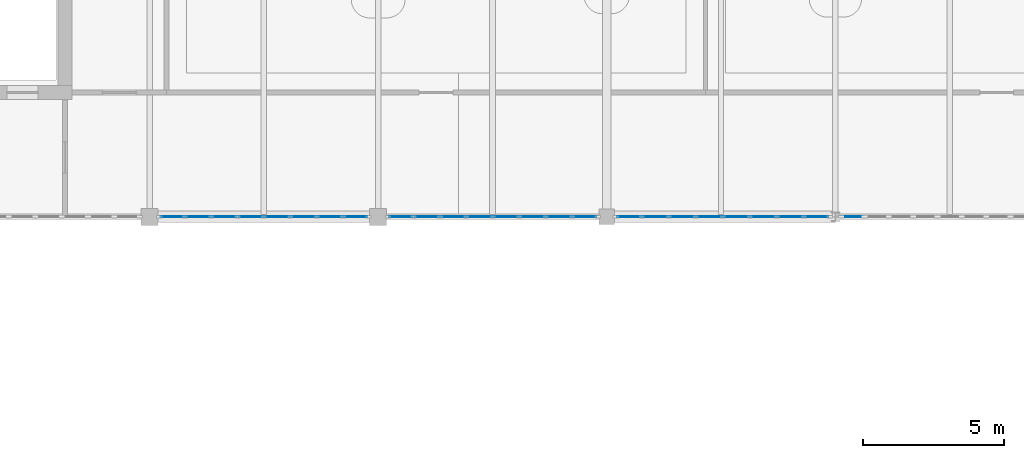
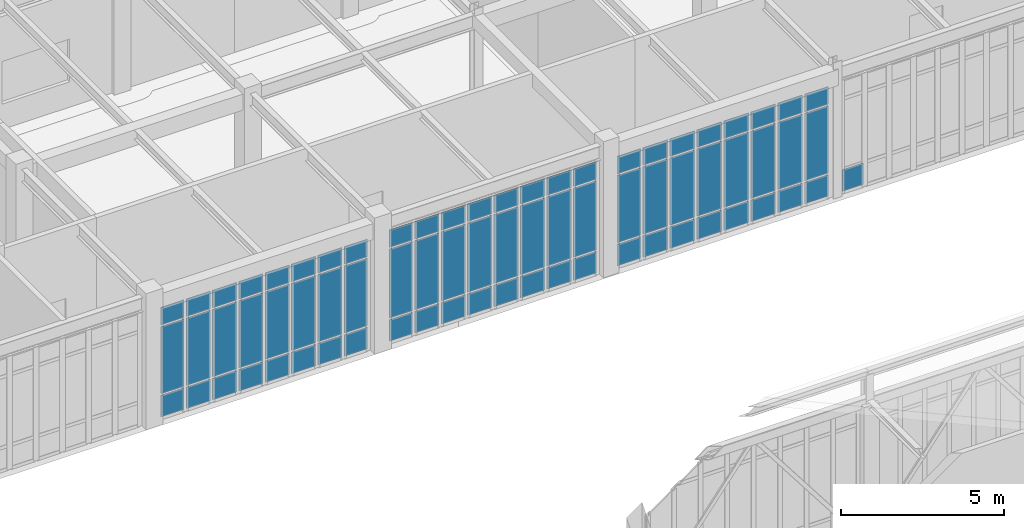
# One storey, part 79 of 107: 73 plates, 4 elements without a shape of their own.
"""IFC4 building model written with IfcOpenShell, lengths in metres."""

import ifcopenshell
import ifcopenshell.guid

model = None  # the IFC model being written
_history = None  # IfcOwnerHistory: only IFC2X3 demands one
_inside = {}  # id of a spatial element -> (the spatial element, [elements in it])
_under = {}  # id of a project, library or spatial element -> (it, [spatial elements below it])
_declared = {}  # id of a project -> (the project, [libraries it declares])
_typed = {}  # id of a type object -> (the type object, [elements of that type])
_made_of = {}  # id of a material, layer set ... -> (it, [elements and type objects made of it])


def new_model(schema):
    """Start an empty IFC model of exactly this schema.

    Asked for "IFC4X3", IfcOpenShell would pick the latest addendum, in which some entities
    have other attributes; the version numbers below select the first issue.
    IFC2X3 requires an IfcOwnerHistory on every rooted entity: one is made here for all.
    """
    global model, _history
    if schema == "IFC4X3":
        model = ifcopenshell.file(schema_version=(4, 3, 0, 0))
    else:
        model = ifcopenshell.file(schema=schema)
    _inside.clear()
    _under.clear()
    _declared.clear()
    _typed.clear()
    _made_of.clear()
    _history = None
    if model.schema == "IFC2X3":
        org = make("IfcOrganization", Name="unknown")
        user = make(
            "IfcPersonAndOrganization",
            ThePerson=make("IfcPerson", FamilyName="unknown"),
            TheOrganization=org,
        )
        app = make(
            "IfcApplication",
            ApplicationDeveloper=org,
            Version="unknown",
            ApplicationFullName="unknown",
            ApplicationIdentifier="unknown",
        )
        _history = make(
            "IfcOwnerHistory",
            OwningUser=user,
            OwningApplication=app,
            ChangeAction="ADDED",
            CreationDate=0,
        )
    return model


def make(cls, **values):
    """One entity of the class cls with the attributes given. An attribute that is None is left unset."""
    return model.create_entity(
        cls, **{name: value for name, value in values.items() if value is not None}
    )


def rooted(cls, **values):
    """An entity with a GlobalId (a new one), such as an element, a storey or a relation."""
    return make(cls, GlobalId=ifcopenshell.guid.new(), OwnerHistory=_history, **values)


def si_unit(unit_type, name, prefix=None):
    """IfcSIUnit, for example si_unit("LENGTHUNIT", "METRE", prefix="MILLI")."""
    return make("IfcSIUnit", UnitType=unit_type, Prefix=prefix, Name=name)


def assignment(units):
    """IfcUnitAssignment: the units of a project."""
    return None if units is None else make("IfcUnitAssignment", Units=units)


def point(xyz):
    """IfcCartesianPoint."""
    return None if xyz is None else make("IfcCartesianPoint", Coordinates=xyz)


def direction(xyz):
    """IfcDirection."""
    return None if xyz is None else make("IfcDirection", DirectionRatios=xyz)


def frame(location, z_axis=None, x_axis=None):
    """IfcAxis2Placement3D, a coordinate frame: its origin and axes. An axis left out is left unset."""
    return make(
        "IfcAxis2Placement3D",
        Location=point(location),
        Axis=direction(z_axis),
        RefDirection=direction(x_axis),
    )


def frame_2d(location, x_axis=None):
    """IfcAxis2Placement2D, a coordinate frame in the plane: its origin and x axis."""
    return make(
        "IfcAxis2Placement2D", Location=point(location), RefDirection=direction(x_axis)
    )


def origin():
    """The frame at (0, 0, 0) with its axes left unset."""
    return frame((0.0, 0.0, 0.0))


def origin_2d():
    """The frame at (0, 0) in the plane with its x axis left unset."""
    return frame_2d((0.0, 0.0))


def place(relative_to, where):
    """IfcLocalPlacement: puts the frame where relative to a parent placement (None: the world)."""
    return make(
        "IfcLocalPlacement", PlacementRelTo=relative_to, RelativePlacement=where
    )


def context(
    kind, dimensions, precision=None, world=None, true_north=None, identifier=None
):
    """IfcGeometricRepresentationContext, for example the 3D "Model" context."""
    return make(
        "IfcGeometricRepresentationContext",
        ContextIdentifier=identifier,
        ContextType=kind,
        CoordinateSpaceDimension=dimensions,
        Precision=precision,
        WorldCoordinateSystem=world,
        TrueNorth=true_north,
    )


def subcontext(parent, identifier, kind, view, scale=None):
    """IfcGeometricRepresentationSubContext, for example "Body" below "Model"."""
    return make(
        "IfcGeometricRepresentationSubContext",
        ContextIdentifier=identifier,
        ContextType=kind,
        ParentContext=parent,
        TargetScale=scale,
        TargetView=view,
    )


def project(units=None, contexts=None):
    """IfcProject with its units and contexts."""
    return rooted(
        "IfcProject",
        Name="project",
        RepresentationContexts=contexts,
        UnitsInContext=assignment(units),
    )


def spatial(cls, under=None, at=None, **own):
    """A site, building, storey or space (cls), placed at a placement, below another one or the project."""
    s = rooted(cls, ObjectPlacement=at, **own)
    if under is not None:
        _under.setdefault(under.id(), (under, []))[1].append(s)
    return s


def profile(cls, at=None, kind="AREA", **sizes):
    """A parametric profile (cls). Its sizes go by their IFC names, for example OverallWidth=200.0."""
    return make(cls, ProfileType=kind, Position=at, **sizes)


def rectangle(**sizes):
    """IfcRectangleProfileDef."""
    return profile("IfcRectangleProfileDef", **sizes)


def extrude(swept, where, along, depth):
    """IfcExtrudedAreaSolid: the profile swept, set in the frame where, extruded along a direction by depth."""
    return make(
        "IfcExtrudedAreaSolid",
        SweptArea=swept,
        Position=where,
        ExtrudedDirection=direction(along),
        Depth=depth,
    )


def shape(context_of_items, identifier, shape_type, items):
    """IfcShapeRepresentation: the items that make up one representation, for example the "Body"."""
    return make(
        "IfcShapeRepresentation",
        ContextOfItems=context_of_items,
        RepresentationIdentifier=identifier,
        RepresentationType=shape_type,
        Items=items,
    )


def material(Name=None, Category=None):
    """IfcMaterial."""
    return make("IfcMaterial", Name=Name, Category=Category)


def layer(
    of_material, thickness, ventilated=None, Name=None, Category=None, Priority=None
):
    """IfcMaterialLayer: one layer of a wall or slab, of a material (None: an air gap)."""
    return make(
        "IfcMaterialLayer",
        Material=of_material,
        LayerThickness=thickness,
        IsVentilated=ventilated,
        Name=Name,
        Category=Category,
        Priority=Priority,
    )


def layer_set(layers, Name=None):
    """IfcMaterialLayerSet."""
    return make("IfcMaterialLayerSet", MaterialLayers=layers, LayerSetName=Name)


def made_of(thing, what):
    """Note that an element or type object is made of a material, layer set ...; save() writes the relation."""
    if what is not None:
        _made_of.setdefault(what.id(), (what, []))[1].append(thing)
    return thing


def type_object(cls, material=None, **own):
    """A type object (cls), such as IfcWallType, which elements share."""
    return made_of(rooted(cls, **own), material)


def element(
    cls,
    number,
    at=None,
    inside=None,
    cuts=None,
    type_object=None,
    material=None,
    context=None,
    identifier="Body",
    shape_type=None,
    held_by="IfcProductDefinitionShape",
    body=None,
    shapes=None,
    **own,
):
    """One element of the class cls, such as IfcWall. Its Tag is "e" and its number.

    at: its placement. inside: the storey or other place that contains it. cuts: it is an
    opening in that element (IfcRelVoidsElement). A single representation is given by context,
    identifier, shape_type and body (its items); several are given by shapes. held_by: the class
    of the entity that holds the representations. save() writes the other relations.
    """
    e = rooted(cls, Tag="e%d" % number, ObjectPlacement=at, **own)
    if body is not None:
        shapes = [shape(context, identifier, shape_type, body)]
    if shapes is not None:
        e.Representation = make(held_by, Representations=shapes)
    if inside is not None:
        _inside.setdefault(inside.id(), (inside, []))[1].append(e)
    if cuts is not None:
        rooted(
            "IfcRelVoidsElement", RelatingBuildingElement=cuts, RelatedOpeningElement=e
        )
    if type_object is not None:
        _typed.setdefault(type_object.id(), (type_object, []))[1].append(e)
    return made_of(e, material)


def aggregate(whole, parts):
    """IfcRelAggregates: a whole, such as a stair, and the parts it consists of."""
    return rooted("IfcRelAggregates", RelatingObject=whole, RelatedObjects=parts)


def save(model, path):
    """Write the relations noted so far, then the file.

    IfcRelAggregates (storeys below a building ...), IfcRelContainedInSpatialStructure (elements
    in a storey), IfcRelDefinesByType, IfcRelAssociatesMaterial and IfcRelDeclares: one each for
    every whole, place, type object, material and project.
    """
    for whole, parts in _under.values():
        aggregate(whole, parts)
    for where, things in _inside.values():
        rooted(
            "IfcRelContainedInSpatialStructure",
            RelatedElements=things,
            RelatingStructure=where,
        )
    for kind, things in _typed.values():
        rooted("IfcRelDefinesByType", RelatedObjects=things, RelatingType=kind)
    for what, things in _made_of.values():
        rooted("IfcRelAssociatesMaterial", RelatedObjects=things, RelatingMaterial=what)
    for by, libraries in _declared.values():
        rooted("IfcRelDeclares", RelatingContext=by, RelatedDefinitions=libraries)
    model.write(path)


model = new_model("IFC4")

# Units and contexts
model_context = context("Model", 3, precision=1e-05, world=origin(), true_north=direction((0.0, 1.0)))
body_context = subcontext(model_context, "Body", "Model", "MODEL_VIEW")
ifc_project = project(units=[si_unit("LENGTHUNIT", "METRE"), si_unit("AREAUNIT", "SQUARE_METRE"), si_unit("VOLUMEUNIT", "CUBIC_METRE"), si_unit("PLANEANGLEUNIT", "RADIAN"), si_unit("MASSUNIT", "GRAM", prefix="KILO")], contexts=[model_context])

# Site, building, storey
site_placement = place(None, origin())
site = spatial("IfcSite", under=ifc_project, at=site_placement, CompositionType="ELEMENT")
building_placement = place(site_placement, origin())
building = spatial("IfcBuilding", under=site, at=building_placement, Name="Tarnveldt Square Police Headquarters", CompositionType="ELEMENT")
storey_placement = place(building_placement, frame((0.0, 0.0, 14.699951171875)))
storey = spatial("IfcBuildingStorey", under=building, at=storey_placement, Name="L03", CompositionType="ELEMENT", Elevation=14.699951171875)

# Curtain wall, plates
ifc_material = material(Name="Triple-glazed low-e laminated vision glass", Category="glass")
curtain_wall_type_1 = type_object("IfcCurtainWallType", Name="CW-LB-747x423", PredefinedType="USERDEFINED", material=ifc_material)
curtain_wall_1_placement = place(storey_placement, origin())
curtain_wall_1 = element("IfcCurtainWall", 1, at=curtain_wall_1_placement, inside=storey, type_object=curtain_wall_type_1, Name="L03 Curtain Wall CW-L03-121", ObjectType="GLAZED CURTAIN WALL", PredefinedType="USERDEFINED")
ifc_layer = layer(ifc_material, 0.028076171875)
ifc_layer_set = layer_set([ifc_layer], Name="Triple-glazed low-e laminated vision glass")
plate_type = type_object("IfcPlateType", Name="CWP-VIS-28", PredefinedType="CURTAIN_PANEL", material=ifc_layer_set)
plate_1_placement = place(storey_placement, frame((65.6005859375, 96.0, 0.06494140625), z_axis=(0.0, 0.0, 1.0), x_axis=(1.0, 0.0, 0.0)))
plate_1 = element("IfcPlate", 2, at=plate_1_placement, type_object=plate_type, Name="CW-LB72 panel 1.1", PredefinedType="CURTAIN_PANEL", context=body_context, shape_type="SweptSolid", body=[
    extrude(rectangle(XDim=0.8212890625, YDim=0.028076171875, at=origin_2d()), origin(), (0.0, 0.0, 1.0), 0.802490234375),
])
plate_2_placement = place(storey_placement, frame((65.6005859375, 96.0, 0.9326171875), z_axis=(0.0, 0.0, 1.0), x_axis=(1.0, 0.0, 0.0)))
plate_2 = element("IfcPlate", 3, at=plate_2_placement, type_object=plate_type, Name="CW-LB72 panel 1.2", PredefinedType="CURTAIN_PANEL", context=body_context, shape_type="SweptSolid", body=[
    extrude(rectangle(XDim=0.8212890625, YDim=0.028076171875, at=origin_2d()), origin(), (0.0, 0.0, 1.0), 2.51708984375),
])
plate_3_placement = place(storey_placement, frame((65.6005859375, 96.0, 3.5146484375), z_axis=(0.0, 0.0, 1.0), x_axis=(1.0, 0.0, 0.0)))
plate_3 = element("IfcPlate", 4, at=plate_3_placement, type_object=plate_type, Name="CW-LB72 panel 1.3", PredefinedType="CURTAIN_PANEL", context=body_context, shape_type="SweptSolid", body=[
    extrude(rectangle(XDim=0.8212890625, YDim=0.028076171875, at=origin_2d()), origin(), (0.0, 0.0, 1.0), 0.652587890625),
])
plate_4_placement = place(storey_placement, frame((66.515625, 96.0, 0.06494140625), z_axis=(0.0, 0.0, 1.0), x_axis=(1.0, 0.0, 0.0)))
plate_4 = element("IfcPlate", 5, at=plate_4_placement, type_object=plate_type, Name="CW-LB72 panel 2.1", PredefinedType="CURTAIN_PANEL", context=body_context, shape_type="SweptSolid", body=[
    extrude(rectangle(XDim=0.858642578125, YDim=0.028076171875, at=origin_2d()), origin(), (0.0, 0.0, 1.0), 0.802490234375),
])
plate_5_placement = place(storey_placement, frame((66.515625, 96.0, 0.9326171875), z_axis=(0.0, 0.0, 1.0), x_axis=(1.0, 0.0, 0.0)))
plate_5 = element("IfcPlate", 6, at=plate_5_placement, type_object=plate_type, Name="CW-LB72 panel 2.2", PredefinedType="CURTAIN_PANEL", context=body_context, shape_type="SweptSolid", body=[
    extrude(rectangle(XDim=0.858642578125, YDim=0.028076171875, at=origin_2d()), origin(), (0.0, 0.0, 1.0), 2.51708984375),
])
plate_6_placement = place(storey_placement, frame((66.515625, 96.0, 3.5146484375), z_axis=(0.0, 0.0, 1.0), x_axis=(1.0, 0.0, 0.0)))
plate_6 = element("IfcPlate", 7, at=plate_6_placement, type_object=plate_type, Name="CW-LB72 panel 2.3", PredefinedType="CURTAIN_PANEL", context=body_context, shape_type="SweptSolid", body=[
    extrude(rectangle(XDim=0.858642578125, YDim=0.028076171875, at=origin_2d()), origin(), (0.0, 0.0, 1.0), 0.652587890625),
])
plate_7_placement = place(storey_placement, frame((67.449462890625, 96.0, 0.06494140625), z_axis=(0.0, 0.0, 1.0), x_axis=(1.0, 0.0, 0.0)))
plate_7 = element("IfcPlate", 8, at=plate_7_placement, type_object=plate_type, Name="CW-LB72 panel 3.1", PredefinedType="CURTAIN_PANEL", context=body_context, shape_type="SweptSolid", body=[
    extrude(rectangle(XDim=0.858642578125, YDim=0.028076171875, at=origin_2d()), origin(), (0.0, 0.0, 1.0), 0.802490234375),
])
plate_8_placement = place(storey_placement, frame((67.449462890625, 96.0, 0.9326171875), z_axis=(0.0, 0.0, 1.0), x_axis=(1.0, 0.0, 0.0)))
plate_8 = element("IfcPlate", 9, at=plate_8_placement, type_object=plate_type, Name="CW-LB72 panel 3.2", PredefinedType="CURTAIN_PANEL", context=body_context, shape_type="SweptSolid", body=[
    extrude(rectangle(XDim=0.858642578125, YDim=0.028076171875, at=origin_2d()), origin(), (0.0, 0.0, 1.0), 2.51708984375),
])
plate_9_placement = place(storey_placement, frame((67.449462890625, 96.0, 3.5146484375), z_axis=(0.0, 0.0, 1.0), x_axis=(1.0, 0.0, 0.0)))
plate_9 = element("IfcPlate", 10, at=plate_9_placement, type_object=plate_type, Name="CW-LB72 panel 3.3", PredefinedType="CURTAIN_PANEL", context=body_context, shape_type="SweptSolid", body=[
    extrude(rectangle(XDim=0.858642578125, YDim=0.028076171875, at=origin_2d()), origin(), (0.0, 0.0, 1.0), 0.652587890625),
])
plate_10_placement = place(storey_placement, frame((68.383056640625, 96.0, 0.06494140625), z_axis=(0.0, 0.0, 1.0), x_axis=(1.0, 0.0, 0.0)))
plate_10 = element("IfcPlate", 11, at=plate_10_placement, type_object=plate_type, Name="CW-LB72 panel 4.1", PredefinedType="CURTAIN_PANEL", context=body_context, shape_type="SweptSolid", body=[
    extrude(rectangle(XDim=0.858642578125, YDim=0.028076171875, at=origin_2d()), origin(), (0.0, 0.0, 1.0), 0.802490234375),
])
plate_11_placement = place(storey_placement, frame((68.383056640625, 96.0, 0.9326171875), z_axis=(0.0, 0.0, 1.0), x_axis=(1.0, 0.0, 0.0)))
plate_11 = element("IfcPlate", 12, at=plate_11_placement, type_object=plate_type, Name="CW-LB72 panel 4.2", PredefinedType="CURTAIN_PANEL", context=body_context, shape_type="SweptSolid", body=[
    extrude(rectangle(XDim=0.858642578125, YDim=0.028076171875, at=origin_2d()), origin(), (0.0, 0.0, 1.0), 2.51708984375),
])
plate_12_placement = place(storey_placement, frame((68.383056640625, 96.0, 3.5146484375), z_axis=(0.0, 0.0, 1.0), x_axis=(1.0, 0.0, 0.0)))
plate_12 = element("IfcPlate", 13, at=plate_12_placement, type_object=plate_type, Name="CW-LB72 panel 4.3", PredefinedType="CURTAIN_PANEL", context=body_context, shape_type="SweptSolid", body=[
    extrude(rectangle(XDim=0.858642578125, YDim=0.028076171875, at=origin_2d()), origin(), (0.0, 0.0, 1.0), 0.652587890625),
])
plate_13_placement = place(storey_placement, frame((69.31689453125, 96.0, 0.06494140625), z_axis=(0.0, 0.0, 1.0), x_axis=(1.0, 0.0, 0.0)))
plate_13 = element("IfcPlate", 14, at=plate_13_placement, type_object=plate_type, Name="CW-LB72 panel 5.1", PredefinedType="CURTAIN_PANEL", context=body_context, shape_type="SweptSolid", body=[
    extrude(rectangle(XDim=0.858642578125, YDim=0.028076171875, at=origin_2d()), origin(), (0.0, 0.0, 1.0), 0.802490234375),
])
plate_14_placement = place(storey_placement, frame((69.31689453125, 96.0, 0.9326171875), z_axis=(0.0, 0.0, 1.0), x_axis=(1.0, 0.0, 0.0)))
plate_14 = element("IfcPlate", 15, at=plate_14_placement, type_object=plate_type, Name="CW-LB72 panel 5.2", PredefinedType="CURTAIN_PANEL", context=body_context, shape_type="SweptSolid", body=[
    extrude(rectangle(XDim=0.858642578125, YDim=0.028076171875, at=origin_2d()), origin(), (0.0, 0.0, 1.0), 2.51708984375),
])
plate_15_placement = place(storey_placement, frame((69.31689453125, 96.0, 3.5146484375), z_axis=(0.0, 0.0, 1.0), x_axis=(1.0, 0.0, 0.0)))
plate_15 = element("IfcPlate", 16, at=plate_15_placement, type_object=plate_type, Name="CW-LB72 panel 5.3", PredefinedType="CURTAIN_PANEL", context=body_context, shape_type="SweptSolid", body=[
    extrude(rectangle(XDim=0.858642578125, YDim=0.028076171875, at=origin_2d()), origin(), (0.0, 0.0, 1.0), 0.652587890625),
])
plate_16_placement = place(storey_placement, frame((70.250732421875, 96.0, 0.06494140625), z_axis=(0.0, 0.0, 1.0), x_axis=(1.0, 0.0, 0.0)))
plate_16 = element("IfcPlate", 17, at=plate_16_placement, type_object=plate_type, Name="CW-LB72 panel 6.1", PredefinedType="CURTAIN_PANEL", context=body_context, shape_type="SweptSolid", body=[
    extrude(rectangle(XDim=0.858642578125, YDim=0.028076171875, at=origin_2d()), origin(), (0.0, 0.0, 1.0), 0.802490234375),
])
plate_17_placement = place(storey_placement, frame((70.250732421875, 96.0, 0.9326171875), z_axis=(0.0, 0.0, 1.0), x_axis=(1.0, 0.0, 0.0)))
plate_17 = element("IfcPlate", 18, at=plate_17_placement, type_object=plate_type, Name="CW-LB72 panel 6.2", PredefinedType="CURTAIN_PANEL", context=body_context, shape_type="SweptSolid", body=[
    extrude(rectangle(XDim=0.858642578125, YDim=0.028076171875, at=origin_2d()), origin(), (0.0, 0.0, 1.0), 2.51708984375),
])
plate_18_placement = place(storey_placement, frame((70.250732421875, 96.0, 3.5146484375), z_axis=(0.0, 0.0, 1.0), x_axis=(1.0, 0.0, 0.0)))
plate_18 = element("IfcPlate", 19, at=plate_18_placement, type_object=plate_type, Name="CW-LB72 panel 6.3", PredefinedType="CURTAIN_PANEL", context=body_context, shape_type="SweptSolid", body=[
    extrude(rectangle(XDim=0.858642578125, YDim=0.028076171875, at=origin_2d()), origin(), (0.0, 0.0, 1.0), 0.652587890625),
])
plate_19_placement = place(storey_placement, frame((71.184326171875, 96.0, 0.06494140625), z_axis=(0.0, 0.0, 1.0), x_axis=(1.0, 0.0, 0.0)))
plate_19 = element("IfcPlate", 20, at=plate_19_placement, type_object=plate_type, Name="CW-LB72 panel 7.1", PredefinedType="CURTAIN_PANEL", context=body_context, shape_type="SweptSolid", body=[
    extrude(rectangle(XDim=0.858642578125, YDim=0.028076171875, at=origin_2d()), origin(), (0.0, 0.0, 1.0), 0.802490234375),
])
plate_20_placement = place(storey_placement, frame((71.184326171875, 96.0, 0.9326171875), z_axis=(0.0, 0.0, 1.0), x_axis=(1.0, 0.0, 0.0)))
plate_20 = element("IfcPlate", 21, at=plate_20_placement, type_object=plate_type, Name="CW-LB72 panel 7.2", PredefinedType="CURTAIN_PANEL", context=body_context, shape_type="SweptSolid", body=[
    extrude(rectangle(XDim=0.858642578125, YDim=0.028076171875, at=origin_2d()), origin(), (0.0, 0.0, 1.0), 2.51708984375),
])
plate_21_placement = place(storey_placement, frame((71.184326171875, 96.0, 3.5146484375), z_axis=(0.0, 0.0, 1.0), x_axis=(1.0, 0.0, 0.0)))
plate_21 = element("IfcPlate", 22, at=plate_21_placement, type_object=plate_type, Name="CW-LB72 panel 7.3", PredefinedType="CURTAIN_PANEL", context=body_context, shape_type="SweptSolid", body=[
    extrude(rectangle(XDim=0.858642578125, YDim=0.028076171875, at=origin_2d()), origin(), (0.0, 0.0, 1.0), 0.652587890625),
])
plate_22_placement = place(storey_placement, frame((72.099365234375, 96.0, 0.06494140625), z_axis=(0.0, 0.0, 1.0), x_axis=(1.0, 0.0, 0.0)))
plate_22 = element("IfcPlate", 23, at=plate_22_placement, type_object=plate_type, Name="CW-LB72 panel 8.1", PredefinedType="CURTAIN_PANEL", context=body_context, shape_type="SweptSolid", body=[
    extrude(rectangle(XDim=0.8212890625, YDim=0.028076171875, at=origin_2d()), origin(), (0.0, 0.0, 1.0), 0.802490234375),
])
plate_23_placement = place(storey_placement, frame((72.099365234375, 96.0, 0.9326171875), z_axis=(0.0, 0.0, 1.0), x_axis=(1.0, 0.0, 0.0)))
plate_23 = element("IfcPlate", 24, at=plate_23_placement, type_object=plate_type, Name="CW-LB72 panel 8.2", PredefinedType="CURTAIN_PANEL", context=body_context, shape_type="SweptSolid", body=[
    extrude(rectangle(XDim=0.8212890625, YDim=0.028076171875, at=origin_2d()), origin(), (0.0, 0.0, 1.0), 2.51708984375),
])
plate_24_placement = place(storey_placement, frame((72.099365234375, 96.0, 3.5146484375), z_axis=(0.0, 0.0, 1.0), x_axis=(1.0, 0.0, 0.0)))
plate_24 = element("IfcPlate", 25, at=plate_24_placement, type_object=plate_type, Name="CW-LB72 panel 8.3", PredefinedType="CURTAIN_PANEL", context=body_context, shape_type="SweptSolid", body=[
    extrude(rectangle(XDim=0.8212890625, YDim=0.028076171875, at=origin_2d()), origin(), (0.0, 0.0, 1.0), 0.652587890625),
])
aggregate(curtain_wall_1, [plate_1, plate_2, plate_3, plate_4, plate_5, plate_6, plate_7, plate_8, plate_9, plate_10, plate_11, plate_12, plate_13, plate_14, plate_15, plate_16, plate_17, plate_18, plate_19, plate_20, plate_21, plate_22, plate_23, plate_24])

curtain_wall_type_2 = type_object("IfcCurtainWallType", Name="CW-LB-749x430", PredefinedType="USERDEFINED", material=ifc_material)
curtain_wall_2_placement = place(storey_placement, origin())
curtain_wall_2 = element("IfcCurtainWall", 26, at=curtain_wall_2_placement, inside=storey, type_object=curtain_wall_type_2, Name="L03 Curtain Wall CW-L03-122", ObjectType="GLAZED CURTAIN WALL", PredefinedType="USERDEFINED")
plate_25_placement = place(storey_placement, frame((73.7021484375, 96.0, 0.06494140625), z_axis=(0.0, 0.0, 1.0), x_axis=(1.0, 0.0, 0.0)))
plate_25 = element("IfcPlate", 27, at=plate_25_placement, type_object=plate_type, Name="CW-LB73 panel 1.1", PredefinedType="CURTAIN_PANEL", context=body_context, shape_type="SweptSolid", body=[
    extrude(rectangle(XDim=0.824462890625, YDim=0.028076171875, at=origin_2d()), origin(), (0.0, 0.0, 1.0), 0.802490234375),
])
plate_26_placement = place(storey_placement, frame((73.7021484375, 96.0, 0.9326171875), z_axis=(0.0, 0.0, 1.0), x_axis=(1.0, 0.0, 0.0)))
plate_26 = element("IfcPlate", 28, at=plate_26_placement, type_object=plate_type, Name="CW-LB73 panel 1.2", PredefinedType="CURTAIN_PANEL", context=body_context, shape_type="SweptSolid", body=[
    extrude(rectangle(XDim=0.824462890625, YDim=0.028076171875, at=origin_2d()), origin(), (0.0, 0.0, 1.0), 2.583984375),
])
plate_27_placement = place(storey_placement, frame((73.7021484375, 96.0, 3.58154296875), z_axis=(0.0, 0.0, 1.0), x_axis=(1.0, 0.0, 0.0)))
plate_27 = element("IfcPlate", 29, at=plate_27_placement, type_object=plate_type, Name="CW-LB73 panel 1.3", PredefinedType="CURTAIN_PANEL", context=body_context, shape_type="SweptSolid", body=[
    extrude(rectangle(XDim=0.824462890625, YDim=0.028076171875, at=origin_2d()), origin(), (0.0, 0.0, 1.0), 0.652587890625),
])
plate_28_placement = place(storey_placement, frame((74.620361328125, 96.0, 0.06494140625), z_axis=(0.0, 0.0, 1.0), x_axis=(1.0, 0.0, 0.0)))
plate_28 = element("IfcPlate", 30, at=plate_28_placement, type_object=plate_type, Name="CW-LB73 panel 2.1", PredefinedType="CURTAIN_PANEL", context=body_context, shape_type="SweptSolid", body=[
    extrude(rectangle(XDim=0.86181640625, YDim=0.028076171875, at=origin_2d()), origin(), (0.0, 0.0, 1.0), 0.802490234375),
])
plate_29_placement = place(storey_placement, frame((74.620361328125, 96.0, 0.9326171875), z_axis=(0.0, 0.0, 1.0), x_axis=(1.0, 0.0, 0.0)))
plate_29 = element("IfcPlate", 31, at=plate_29_placement, type_object=plate_type, Name="CW-LB73 panel 2.2", PredefinedType="CURTAIN_PANEL", context=body_context, shape_type="SweptSolid", body=[
    extrude(rectangle(XDim=0.86181640625, YDim=0.028076171875, at=origin_2d()), origin(), (0.0, 0.0, 1.0), 2.583984375),
])
plate_30_placement = place(storey_placement, frame((74.620361328125, 96.0, 3.58154296875), z_axis=(0.0, 0.0, 1.0), x_axis=(1.0, 0.0, 0.0)))
plate_30 = element("IfcPlate", 32, at=plate_30_placement, type_object=plate_type, Name="CW-LB73 panel 2.3", PredefinedType="CURTAIN_PANEL", context=body_context, shape_type="SweptSolid", body=[
    extrude(rectangle(XDim=0.86181640625, YDim=0.028076171875, at=origin_2d()), origin(), (0.0, 0.0, 1.0), 0.652587890625),
])
plate_31_placement = place(storey_placement, frame((75.55712890625, 96.0, 0.06494140625), z_axis=(0.0, 0.0, 1.0), x_axis=(1.0, 0.0, 0.0)))
plate_31 = element("IfcPlate", 33, at=plate_31_placement, type_object=plate_type, Name="CW-LB73 panel 3.1", PredefinedType="CURTAIN_PANEL", context=body_context, shape_type="SweptSolid", body=[
    extrude(rectangle(XDim=0.86181640625, YDim=0.028076171875, at=origin_2d()), origin(), (0.0, 0.0, 1.0), 0.802490234375),
])
plate_32_placement = place(storey_placement, frame((75.55712890625, 96.0, 0.9326171875), z_axis=(0.0, 0.0, 1.0), x_axis=(1.0, 0.0, 0.0)))
plate_32 = element("IfcPlate", 34, at=plate_32_placement, type_object=plate_type, Name="CW-LB73 panel 3.2", PredefinedType="CURTAIN_PANEL", context=body_context, shape_type="SweptSolid", body=[
    extrude(rectangle(XDim=0.86181640625, YDim=0.028076171875, at=origin_2d()), origin(), (0.0, 0.0, 1.0), 2.583984375),
])
plate_33_placement = place(storey_placement, frame((75.55712890625, 96.0, 3.58154296875), z_axis=(0.0, 0.0, 1.0), x_axis=(1.0, 0.0, 0.0)))
plate_33 = element("IfcPlate", 35, at=plate_33_placement, type_object=plate_type, Name="CW-LB73 panel 3.3", PredefinedType="CURTAIN_PANEL", context=body_context, shape_type="SweptSolid", body=[
    extrude(rectangle(XDim=0.86181640625, YDim=0.028076171875, at=origin_2d()), origin(), (0.0, 0.0, 1.0), 0.652587890625),
])
plate_34_placement = place(storey_placement, frame((76.494140625, 96.0, 0.06494140625), z_axis=(0.0, 0.0, 1.0), x_axis=(1.0, 0.0, 0.0)))
plate_34 = element("IfcPlate", 36, at=plate_34_placement, type_object=plate_type, Name="CW-LB73 panel 4.1", PredefinedType="CURTAIN_PANEL", context=body_context, shape_type="SweptSolid", body=[
    extrude(rectangle(XDim=0.86181640625, YDim=0.028076171875, at=origin_2d()), origin(), (0.0, 0.0, 1.0), 0.802490234375),
])
plate_35_placement = place(storey_placement, frame((76.494140625, 96.0, 0.9326171875), z_axis=(0.0, 0.0, 1.0), x_axis=(1.0, 0.0, 0.0)))
plate_35 = element("IfcPlate", 37, at=plate_35_placement, type_object=plate_type, Name="CW-LB73 panel 4.2", PredefinedType="CURTAIN_PANEL", context=body_context, shape_type="SweptSolid", body=[
    extrude(rectangle(XDim=0.86181640625, YDim=0.028076171875, at=origin_2d()), origin(), (0.0, 0.0, 1.0), 2.583984375),
])
plate_36_placement = place(storey_placement, frame((76.494140625, 96.0, 3.58154296875), z_axis=(0.0, 0.0, 1.0), x_axis=(1.0, 0.0, 0.0)))
plate_36 = element("IfcPlate", 38, at=plate_36_placement, type_object=plate_type, Name="CW-LB73 panel 4.3", PredefinedType="CURTAIN_PANEL", context=body_context, shape_type="SweptSolid", body=[
    extrude(rectangle(XDim=0.86181640625, YDim=0.028076171875, at=origin_2d()), origin(), (0.0, 0.0, 1.0), 0.652587890625),
])
plate_37_placement = place(storey_placement, frame((77.430908203125, 96.0, 0.06494140625), z_axis=(0.0, 0.0, 1.0), x_axis=(1.0, 0.0, 0.0)))
plate_37 = element("IfcPlate", 39, at=plate_37_placement, type_object=plate_type, Name="CW-LB73 panel 5.1", PredefinedType="CURTAIN_PANEL", context=body_context, shape_type="SweptSolid", body=[
    extrude(rectangle(XDim=0.86181640625, YDim=0.028076171875, at=origin_2d()), origin(), (0.0, 0.0, 1.0), 0.802490234375),
])
plate_38_placement = place(storey_placement, frame((77.430908203125, 96.0, 0.9326171875), z_axis=(0.0, 0.0, 1.0), x_axis=(1.0, 0.0, 0.0)))
plate_38 = element("IfcPlate", 40, at=plate_38_placement, type_object=plate_type, Name="CW-LB73 panel 5.2", PredefinedType="CURTAIN_PANEL", context=body_context, shape_type="SweptSolid", body=[
    extrude(rectangle(XDim=0.86181640625, YDim=0.028076171875, at=origin_2d()), origin(), (0.0, 0.0, 1.0), 2.583984375),
])
plate_39_placement = place(storey_placement, frame((77.430908203125, 96.0, 3.58154296875), z_axis=(0.0, 0.0, 1.0), x_axis=(1.0, 0.0, 0.0)))
plate_39 = element("IfcPlate", 41, at=plate_39_placement, type_object=plate_type, Name="CW-LB73 panel 5.3", PredefinedType="CURTAIN_PANEL", context=body_context, shape_type="SweptSolid", body=[
    extrude(rectangle(XDim=0.86181640625, YDim=0.028076171875, at=origin_2d()), origin(), (0.0, 0.0, 1.0), 0.652587890625),
])
plate_40_placement = place(storey_placement, frame((78.367919921875, 96.0, 0.06494140625), z_axis=(0.0, 0.0, 1.0), x_axis=(1.0, 0.0, 0.0)))
plate_40 = element("IfcPlate", 42, at=plate_40_placement, type_object=plate_type, Name="CW-LB73 panel 6.1", PredefinedType="CURTAIN_PANEL", context=body_context, shape_type="SweptSolid", body=[
    extrude(rectangle(XDim=0.86181640625, YDim=0.028076171875, at=origin_2d()), origin(), (0.0, 0.0, 1.0), 0.802490234375),
])
plate_41_placement = place(storey_placement, frame((78.367919921875, 96.0, 0.9326171875), z_axis=(0.0, 0.0, 1.0), x_axis=(1.0, 0.0, 0.0)))
plate_41 = element("IfcPlate", 43, at=plate_41_placement, type_object=plate_type, Name="CW-LB73 panel 6.2", PredefinedType="CURTAIN_PANEL", context=body_context, shape_type="SweptSolid", body=[
    extrude(rectangle(XDim=0.86181640625, YDim=0.028076171875, at=origin_2d()), origin(), (0.0, 0.0, 1.0), 2.583984375),
])
plate_42_placement = place(storey_placement, frame((78.367919921875, 96.0, 3.58154296875), z_axis=(0.0, 0.0, 1.0), x_axis=(1.0, 0.0, 0.0)))
plate_42 = element("IfcPlate", 44, at=plate_42_placement, type_object=plate_type, Name="CW-LB73 panel 6.3", PredefinedType="CURTAIN_PANEL", context=body_context, shape_type="SweptSolid", body=[
    extrude(rectangle(XDim=0.86181640625, YDim=0.028076171875, at=origin_2d()), origin(), (0.0, 0.0, 1.0), 0.652587890625),
])
plate_43_placement = place(storey_placement, frame((79.3046875, 96.0, 0.06494140625), z_axis=(0.0, 0.0, 1.0), x_axis=(1.0, 0.0, 0.0)))
plate_43 = element("IfcPlate", 45, at=plate_43_placement, type_object=plate_type, Name="CW-LB73 panel 7.1", PredefinedType="CURTAIN_PANEL", context=body_context, shape_type="SweptSolid", body=[
    extrude(rectangle(XDim=0.86181640625, YDim=0.028076171875, at=origin_2d()), origin(), (0.0, 0.0, 1.0), 0.802490234375),
])
plate_44_placement = place(storey_placement, frame((79.3046875, 96.0, 0.9326171875), z_axis=(0.0, 0.0, 1.0), x_axis=(1.0, 0.0, 0.0)))
plate_44 = element("IfcPlate", 46, at=plate_44_placement, type_object=plate_type, Name="CW-LB73 panel 7.2", PredefinedType="CURTAIN_PANEL", context=body_context, shape_type="SweptSolid", body=[
    extrude(rectangle(XDim=0.86181640625, YDim=0.028076171875, at=origin_2d()), origin(), (0.0, 0.0, 1.0), 2.583984375),
])
plate_45_placement = place(storey_placement, frame((79.3046875, 96.0, 3.58154296875), z_axis=(0.0, 0.0, 1.0), x_axis=(1.0, 0.0, 0.0)))
plate_45 = element("IfcPlate", 47, at=plate_45_placement, type_object=plate_type, Name="CW-LB73 panel 7.3", PredefinedType="CURTAIN_PANEL", context=body_context, shape_type="SweptSolid", body=[
    extrude(rectangle(XDim=0.86181640625, YDim=0.028076171875, at=origin_2d()), origin(), (0.0, 0.0, 1.0), 0.652587890625),
])
plate_46_placement = place(storey_placement, frame((80.222900390625, 96.0, 0.06494140625), z_axis=(0.0, 0.0, 1.0), x_axis=(1.0, 0.0, 0.0)))
plate_46 = element("IfcPlate", 48, at=plate_46_placement, type_object=plate_type, Name="CW-LB73 panel 8.1", PredefinedType="CURTAIN_PANEL", context=body_context, shape_type="SweptSolid", body=[
    extrude(rectangle(XDim=0.824462890625, YDim=0.028076171875, at=origin_2d()), origin(), (0.0, 0.0, 1.0), 0.802490234375),
])
plate_47_placement = place(storey_placement, frame((80.222900390625, 96.0, 0.9326171875), z_axis=(0.0, 0.0, 1.0), x_axis=(1.0, 0.0, 0.0)))
plate_47 = element("IfcPlate", 49, at=plate_47_placement, type_object=plate_type, Name="CW-LB73 panel 8.2", PredefinedType="CURTAIN_PANEL", context=body_context, shape_type="SweptSolid", body=[
    extrude(rectangle(XDim=0.824462890625, YDim=0.028076171875, at=origin_2d()), origin(), (0.0, 0.0, 1.0), 2.583984375),
])
plate_48_placement = place(storey_placement, frame((80.222900390625, 96.0, 3.58154296875), z_axis=(0.0, 0.0, 1.0), x_axis=(1.0, 0.0, 0.0)))
plate_48 = element("IfcPlate", 50, at=plate_48_placement, type_object=plate_type, Name="CW-LB73 panel 8.3", PredefinedType="CURTAIN_PANEL", context=body_context, shape_type="SweptSolid", body=[
    extrude(rectangle(XDim=0.824462890625, YDim=0.028076171875, at=origin_2d()), origin(), (0.0, 0.0, 1.0), 0.652587890625),
])
aggregate(curtain_wall_2, [plate_25, plate_26, plate_27, plate_28, plate_29, plate_30, plate_31, plate_32, plate_33, plate_34, plate_35, plate_36, plate_37, plate_38, plate_39, plate_40, plate_41, plate_42, plate_43, plate_44, plate_45, plate_46, plate_47, plate_48])

curtain_wall_type_3 = type_object("IfcCurtainWallType", Name="CW-LB-764x423", PredefinedType="USERDEFINED", material=ifc_material)
curtain_wall_3_placement = place(storey_placement, origin())
curtain_wall_3 = element("IfcCurtainWall", 51, at=curtain_wall_3_placement, inside=storey, type_object=curtain_wall_type_3, Name="L03 Curtain Wall CW-L03-123", ObjectType="GLAZED CURTAIN WALL", PredefinedType="USERDEFINED")
plate_49_placement = place(storey_placement, frame((81.786376953125, 96.0, 0.06494140625), z_axis=(0.0, 0.0, 1.0), x_axis=(1.0, 0.0, 0.0)))
plate_49 = element("IfcPlate", 52, at=plate_49_placement, type_object=plate_type, Name="CW-LB74 panel 1.1", PredefinedType="CURTAIN_PANEL", context=body_context, shape_type="SweptSolid", body=[
    extrude(rectangle(XDim=0.842529296875, YDim=0.028076171875, at=origin_2d()), origin(), (0.0, 0.0, 1.0), 0.802490234375),
])
plate_50_placement = place(storey_placement, frame((81.786376953125, 96.0, 0.9326171875), z_axis=(0.0, 0.0, 1.0), x_axis=(1.0, 0.0, 0.0)))
plate_50 = element("IfcPlate", 53, at=plate_50_placement, type_object=plate_type, Name="CW-LB74 panel 1.2", PredefinedType="CURTAIN_PANEL", context=body_context, shape_type="SweptSolid", body=[
    extrude(rectangle(XDim=0.842529296875, YDim=0.028076171875, at=origin_2d()), origin(), (0.0, 0.0, 1.0), 2.51708984375),
])
plate_51_placement = place(storey_placement, frame((81.786376953125, 96.0, 3.5146484375), z_axis=(0.0, 0.0, 1.0), x_axis=(1.0, 0.0, 0.0)))
plate_51 = element("IfcPlate", 54, at=plate_51_placement, type_object=plate_type, Name="CW-LB74 panel 1.3", PredefinedType="CURTAIN_PANEL", context=body_context, shape_type="SweptSolid", body=[
    extrude(rectangle(XDim=0.842529296875, YDim=0.028076171875, at=origin_2d()), origin(), (0.0, 0.0, 1.0), 0.652587890625),
])
plate_52_placement = place(storey_placement, frame((82.72265625, 96.0, 0.06494140625), z_axis=(0.0, 0.0, 1.0), x_axis=(1.0, 0.0, 0.0)))
plate_52 = element("IfcPlate", 55, at=plate_52_placement, type_object=plate_type, Name="CW-LB74 panel 2.1", PredefinedType="CURTAIN_PANEL", context=body_context, shape_type="SweptSolid", body=[
    extrude(rectangle(XDim=0.880126953125, YDim=0.028076171875, at=origin_2d()), origin(), (0.0, 0.0, 1.0), 0.802490234375),
])
plate_53_placement = place(storey_placement, frame((82.72265625, 96.0, 0.9326171875), z_axis=(0.0, 0.0, 1.0), x_axis=(1.0, 0.0, 0.0)))
plate_53 = element("IfcPlate", 56, at=plate_53_placement, type_object=plate_type, Name="CW-LB74 panel 2.2", PredefinedType="CURTAIN_PANEL", context=body_context, shape_type="SweptSolid", body=[
    extrude(rectangle(XDim=0.880126953125, YDim=0.028076171875, at=origin_2d()), origin(), (0.0, 0.0, 1.0), 2.51708984375),
])
plate_54_placement = place(storey_placement, frame((82.72265625, 96.0, 3.5146484375), z_axis=(0.0, 0.0, 1.0), x_axis=(1.0, 0.0, 0.0)))
plate_54 = element("IfcPlate", 57, at=plate_54_placement, type_object=plate_type, Name="CW-LB74 panel 2.3", PredefinedType="CURTAIN_PANEL", context=body_context, shape_type="SweptSolid", body=[
    extrude(rectangle(XDim=0.880126953125, YDim=0.028076171875, at=origin_2d()), origin(), (0.0, 0.0, 1.0), 0.652587890625),
])
plate_55_placement = place(storey_placement, frame((83.677734375, 96.0, 0.06494140625), z_axis=(0.0, 0.0, 1.0), x_axis=(1.0, 0.0, 0.0)))
plate_55 = element("IfcPlate", 58, at=plate_55_placement, type_object=plate_type, Name="CW-LB74 panel 3.1", PredefinedType="CURTAIN_PANEL", context=body_context, shape_type="SweptSolid", body=[
    extrude(rectangle(XDim=0.880126953125, YDim=0.028076171875, at=origin_2d()), origin(), (0.0, 0.0, 1.0), 0.802490234375),
])
plate_56_placement = place(storey_placement, frame((83.677734375, 96.0, 0.9326171875), z_axis=(0.0, 0.0, 1.0), x_axis=(1.0, 0.0, 0.0)))
plate_56 = element("IfcPlate", 59, at=plate_56_placement, type_object=plate_type, Name="CW-LB74 panel 3.2", PredefinedType="CURTAIN_PANEL", context=body_context, shape_type="SweptSolid", body=[
    extrude(rectangle(XDim=0.880126953125, YDim=0.028076171875, at=origin_2d()), origin(), (0.0, 0.0, 1.0), 2.51708984375),
])
plate_57_placement = place(storey_placement, frame((83.677734375, 96.0, 3.5146484375), z_axis=(0.0, 0.0, 1.0), x_axis=(1.0, 0.0, 0.0)))
plate_57 = element("IfcPlate", 60, at=plate_57_placement, type_object=plate_type, Name="CW-LB74 panel 3.3", PredefinedType="CURTAIN_PANEL", context=body_context, shape_type="SweptSolid", body=[
    extrude(rectangle(XDim=0.880126953125, YDim=0.028076171875, at=origin_2d()), origin(), (0.0, 0.0, 1.0), 0.652587890625),
])
plate_58_placement = place(storey_placement, frame((84.633056640625, 96.0, 0.06494140625), z_axis=(0.0, 0.0, 1.0), x_axis=(1.0, 0.0, 0.0)))
plate_58 = element("IfcPlate", 61, at=plate_58_placement, type_object=plate_type, Name="CW-LB74 panel 4.1", PredefinedType="CURTAIN_PANEL", context=body_context, shape_type="SweptSolid", body=[
    extrude(rectangle(XDim=0.880126953125, YDim=0.028076171875, at=origin_2d()), origin(), (0.0, 0.0, 1.0), 0.802490234375),
])
plate_59_placement = place(storey_placement, frame((84.633056640625, 96.0, 0.9326171875), z_axis=(0.0, 0.0, 1.0), x_axis=(1.0, 0.0, 0.0)))
plate_59 = element("IfcPlate", 62, at=plate_59_placement, type_object=plate_type, Name="CW-LB74 panel 4.2", PredefinedType="CURTAIN_PANEL", context=body_context, shape_type="SweptSolid", body=[
    extrude(rectangle(XDim=0.880126953125, YDim=0.028076171875, at=origin_2d()), origin(), (0.0, 0.0, 1.0), 2.51708984375),
])
plate_60_placement = place(storey_placement, frame((84.633056640625, 96.0, 3.5146484375), z_axis=(0.0, 0.0, 1.0), x_axis=(1.0, 0.0, 0.0)))
plate_60 = element("IfcPlate", 63, at=plate_60_placement, type_object=plate_type, Name="CW-LB74 panel 4.3", PredefinedType="CURTAIN_PANEL", context=body_context, shape_type="SweptSolid", body=[
    extrude(rectangle(XDim=0.880126953125, YDim=0.028076171875, at=origin_2d()), origin(), (0.0, 0.0, 1.0), 0.652587890625),
])
plate_61_placement = place(storey_placement, frame((85.588134765625, 96.0, 0.06494140625), z_axis=(0.0, 0.0, 1.0), x_axis=(1.0, 0.0, 0.0)))
plate_61 = element("IfcPlate", 64, at=plate_61_placement, type_object=plate_type, Name="CW-LB74 panel 5.1", PredefinedType="CURTAIN_PANEL", context=body_context, shape_type="SweptSolid", body=[
    extrude(rectangle(XDim=0.880126953125, YDim=0.028076171875, at=origin_2d()), origin(), (0.0, 0.0, 1.0), 0.802490234375),
])
plate_62_placement = place(storey_placement, frame((85.588134765625, 96.0, 0.9326171875), z_axis=(0.0, 0.0, 1.0), x_axis=(1.0, 0.0, 0.0)))
plate_62 = element("IfcPlate", 65, at=plate_62_placement, type_object=plate_type, Name="CW-LB74 panel 5.2", PredefinedType="CURTAIN_PANEL", context=body_context, shape_type="SweptSolid", body=[
    extrude(rectangle(XDim=0.880126953125, YDim=0.028076171875, at=origin_2d()), origin(), (0.0, 0.0, 1.0), 2.51708984375),
])
plate_63_placement = place(storey_placement, frame((85.588134765625, 96.0, 3.5146484375), z_axis=(0.0, 0.0, 1.0), x_axis=(1.0, 0.0, 0.0)))
plate_63 = element("IfcPlate", 66, at=plate_63_placement, type_object=plate_type, Name="CW-LB74 panel 5.3", PredefinedType="CURTAIN_PANEL", context=body_context, shape_type="SweptSolid", body=[
    extrude(rectangle(XDim=0.880126953125, YDim=0.028076171875, at=origin_2d()), origin(), (0.0, 0.0, 1.0), 0.652587890625),
])
plate_64_placement = place(storey_placement, frame((86.543212890625, 96.0, 0.06494140625), z_axis=(0.0, 0.0, 1.0), x_axis=(1.0, 0.0, 0.0)))
plate_64 = element("IfcPlate", 67, at=plate_64_placement, type_object=plate_type, Name="CW-LB74 panel 6.1", PredefinedType="CURTAIN_PANEL", context=body_context, shape_type="SweptSolid", body=[
    extrude(rectangle(XDim=0.880126953125, YDim=0.028076171875, at=origin_2d()), origin(), (0.0, 0.0, 1.0), 0.802490234375),
])
plate_65_placement = place(storey_placement, frame((86.543212890625, 96.0, 0.9326171875), z_axis=(0.0, 0.0, 1.0), x_axis=(1.0, 0.0, 0.0)))
plate_65 = element("IfcPlate", 68, at=plate_65_placement, type_object=plate_type, Name="CW-LB74 panel 6.2", PredefinedType="CURTAIN_PANEL", context=body_context, shape_type="SweptSolid", body=[
    extrude(rectangle(XDim=0.880126953125, YDim=0.028076171875, at=origin_2d()), origin(), (0.0, 0.0, 1.0), 2.51708984375),
])
plate_66_placement = place(storey_placement, frame((86.543212890625, 96.0, 3.5146484375), z_axis=(0.0, 0.0, 1.0), x_axis=(1.0, 0.0, 0.0)))
plate_66 = element("IfcPlate", 69, at=plate_66_placement, type_object=plate_type, Name="CW-LB74 panel 6.3", PredefinedType="CURTAIN_PANEL", context=body_context, shape_type="SweptSolid", body=[
    extrude(rectangle(XDim=0.880126953125, YDim=0.028076171875, at=origin_2d()), origin(), (0.0, 0.0, 1.0), 0.652587890625),
])
plate_67_placement = place(storey_placement, frame((87.498291015625, 96.0, 0.06494140625), z_axis=(0.0, 0.0, 1.0), x_axis=(1.0, 0.0, 0.0)))
plate_67 = element("IfcPlate", 70, at=plate_67_placement, type_object=plate_type, Name="CW-LB74 panel 7.1", PredefinedType="CURTAIN_PANEL", context=body_context, shape_type="SweptSolid", body=[
    extrude(rectangle(XDim=0.880126953125, YDim=0.028076171875, at=origin_2d()), origin(), (0.0, 0.0, 1.0), 0.802490234375),
])
plate_68_placement = place(storey_placement, frame((87.498291015625, 96.0, 0.9326171875), z_axis=(0.0, 0.0, 1.0), x_axis=(1.0, 0.0, 0.0)))
plate_68 = element("IfcPlate", 71, at=plate_68_placement, type_object=plate_type, Name="CW-LB74 panel 7.2", PredefinedType="CURTAIN_PANEL", context=body_context, shape_type="SweptSolid", body=[
    extrude(rectangle(XDim=0.880126953125, YDim=0.028076171875, at=origin_2d()), origin(), (0.0, 0.0, 1.0), 2.51708984375),
])
plate_69_placement = place(storey_placement, frame((87.498291015625, 96.0, 3.5146484375), z_axis=(0.0, 0.0, 1.0), x_axis=(1.0, 0.0, 0.0)))
plate_69 = element("IfcPlate", 72, at=plate_69_placement, type_object=plate_type, Name="CW-LB74 panel 7.3", PredefinedType="CURTAIN_PANEL", context=body_context, shape_type="SweptSolid", body=[
    extrude(rectangle(XDim=0.880126953125, YDim=0.028076171875, at=origin_2d()), origin(), (0.0, 0.0, 1.0), 0.652587890625),
])
plate_70_placement = place(storey_placement, frame((88.4345703125, 96.0, 0.06494140625), z_axis=(0.0, 0.0, 1.0), x_axis=(1.0, 0.0, 0.0)))
plate_70 = element("IfcPlate", 73, at=plate_70_placement, type_object=plate_type, Name="CW-LB74 panel 8.1", PredefinedType="CURTAIN_PANEL", context=body_context, shape_type="SweptSolid", body=[
    extrude(rectangle(XDim=0.842529296875, YDim=0.028076171875, at=origin_2d()), origin(), (0.0, 0.0, 1.0), 0.802490234375),
])
plate_71_placement = place(storey_placement, frame((88.4345703125, 96.0, 0.9326171875), z_axis=(0.0, 0.0, 1.0), x_axis=(1.0, 0.0, 0.0)))
plate_71 = element("IfcPlate", 74, at=plate_71_placement, type_object=plate_type, Name="CW-LB74 panel 8.2", PredefinedType="CURTAIN_PANEL", context=body_context, shape_type="SweptSolid", body=[
    extrude(rectangle(XDim=0.842529296875, YDim=0.028076171875, at=origin_2d()), origin(), (0.0, 0.0, 1.0), 2.51708984375),
])
plate_72_placement = place(storey_placement, frame((88.4345703125, 96.0, 3.5146484375), z_axis=(0.0, 0.0, 1.0), x_axis=(1.0, 0.0, 0.0)))
plate_72 = element("IfcPlate", 75, at=plate_72_placement, type_object=plate_type, Name="CW-LB74 panel 8.3", PredefinedType="CURTAIN_PANEL", context=body_context, shape_type="SweptSolid", body=[
    extrude(rectangle(XDim=0.842529296875, YDim=0.028076171875, at=origin_2d()), origin(), (0.0, 0.0, 1.0), 0.652587890625),
])
aggregate(curtain_wall_3, [plate_49, plate_50, plate_51, plate_52, plate_53, plate_54, plate_55, plate_56, plate_57, plate_58, plate_59, plate_60, plate_61, plate_62, plate_63, plate_64, plate_65, plate_66, plate_67, plate_68, plate_69, plate_70, plate_71, plate_72])

# Curtain wall, plate
curtain_wall_type_4 = type_object("IfcCurtainWallType", Name="CW-LB-776x430", PredefinedType="USERDEFINED", material=ifc_material)
curtain_wall_4_placement = place(storey_placement, origin())
curtain_wall_4 = element("IfcCurtainWall", 76, at=curtain_wall_4_placement, inside=storey, type_object=curtain_wall_type_4, Name="L03 Curtain Wall CW-L03-124", ObjectType="GLAZED CURTAIN WALL", PredefinedType="USERDEFINED")
plate_73_placement = place(storey_placement, frame((89.718994140625, 96.0, 0.06494140625), z_axis=(0.0, 0.0, 1.0), x_axis=(1.0, 0.0, 0.0)))
plate_73 = element("IfcPlate", 77, at=plate_73_placement, type_object=plate_type, Name="CW-LB75 panel 1.1", PredefinedType="CURTAIN_PANEL", context=body_context, shape_type="SweptSolid", body=[
    extrude(rectangle(XDim=0.75, YDim=0.028076171875, at=origin_2d()), origin(), (0.0, 0.0, 1.0), 0.802490234375),
])
aggregate(curtain_wall_4, [plate_73])

save(model, "model.ifc")
